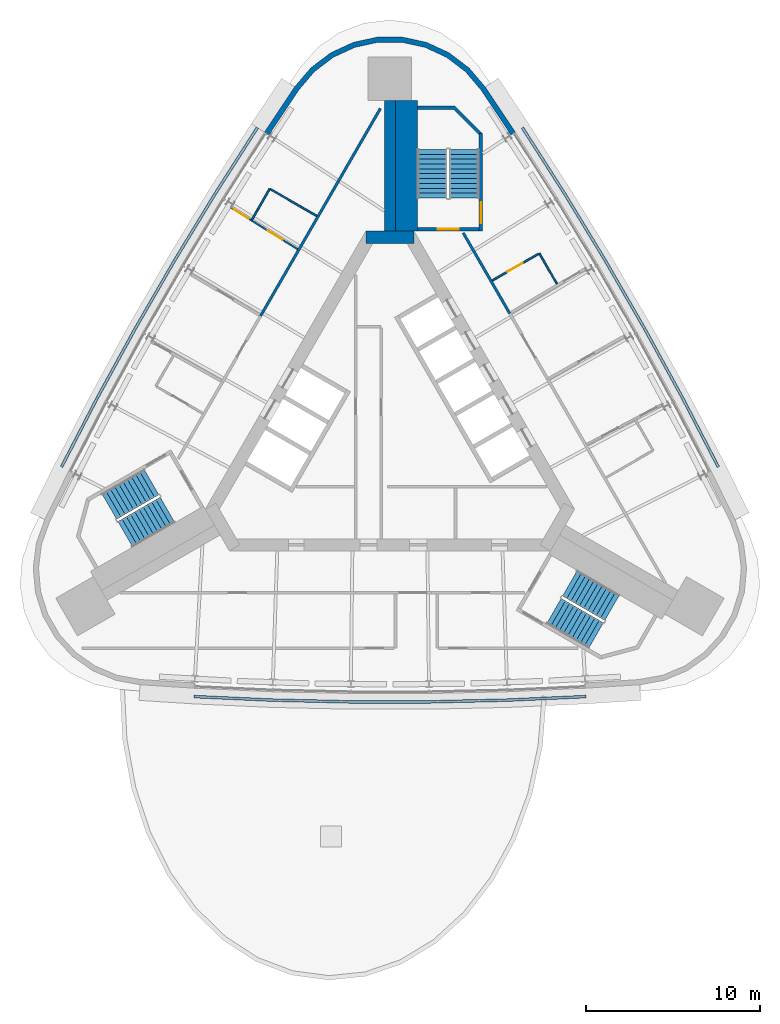
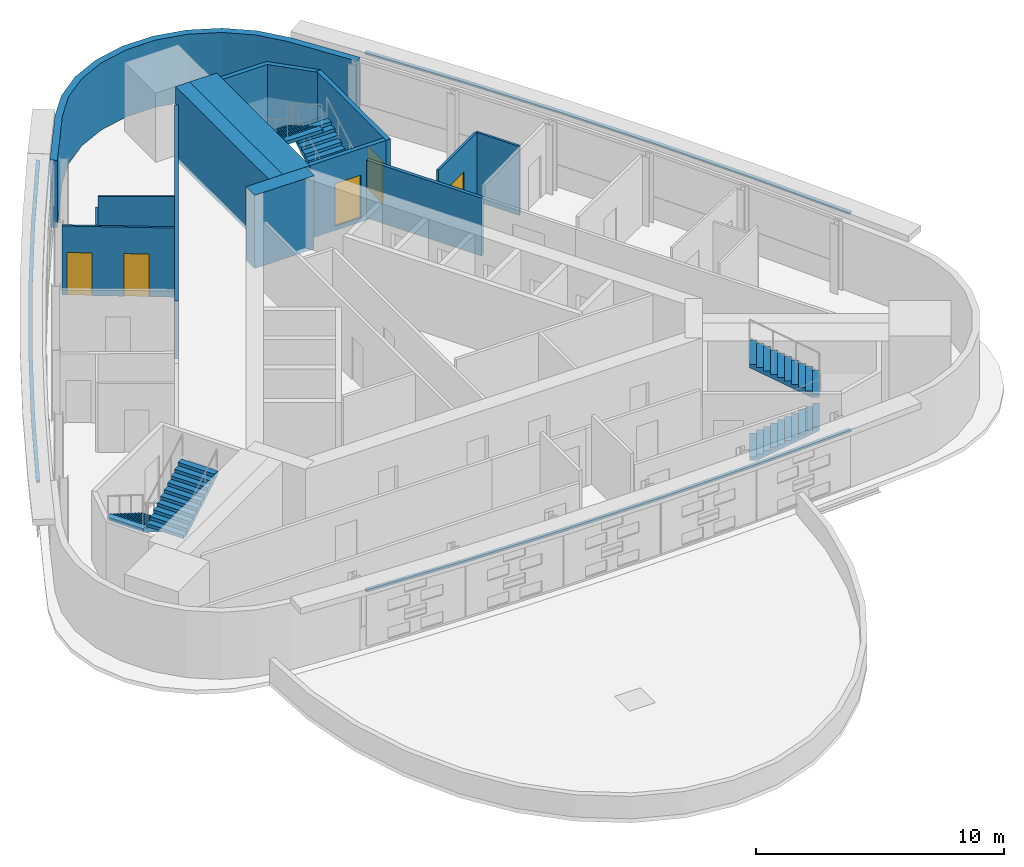
# One storey, part 8 of 9: 14 walls, 6 stair flights, 5 doors, 3 discrete accessories, 5 openings, 3 elements without a shape of their own.
"""IFC4 building model written with IfcOpenShell, lengths in metres."""

from ifc_helpers import new_model, si_unit, direction, frame, frame_2d, origin, place, context, subcontext, project, spatial, polyline, rectangle, outline, extrude, material, layer, layer_set, type_object, element, fill, aggregate, save


model = new_model("IFC4")

# Units and contexts
model_context = context("Model", 3, precision=1e-05, world=origin(), true_north=direction((0.0, 1.0)))
body_context = subcontext(model_context, "Body", "Model", "MODEL_VIEW")
ifc_project = project(units=[si_unit("LENGTHUNIT", "METRE"), si_unit("AREAUNIT", "SQUARE_METRE"), si_unit("VOLUMEUNIT", "CUBIC_METRE"), si_unit("PLANEANGLEUNIT", "RADIAN"), si_unit("MASSUNIT", "GRAM", prefix="KILO")], contexts=[model_context])

# Site, building, storey
site_placement = place(None, origin())
site = spatial("IfcSite", under=ifc_project, at=site_placement, CompositionType="ELEMENT")
building_placement = place(site_placement, origin())
building = spatial("IfcBuilding", under=site, at=building_placement, Name="Noor Cloister Tower", CompositionType="ELEMENT")
storey_placement = place(building_placement, frame((0.0, 0.0, 229.199951171875)))
storey = spatial("IfcBuildingStorey", under=building, at=storey_placement, Name="L59", CompositionType="ELEMENT", Elevation=229.199951171875)

# Walls
ifc_material_1 = material(Name="Concrete C60/75", Category="concrete")
ifc_layer_1 = layer(ifc_material_1, 0.64990234375)
ifc_layer_set_1 = layer_set([ifc_layer_1], Name="Buttress wall 650 C60/75")
wall_type_1 = type_object("IfcWallType", Name="Buttress wall 650 C60/75", PredefinedType="SHEAR", material=ifc_layer_set_1)
wall_1_placement = place(storey_placement, frame((0.0, 11.456298828125, -0.199951171875), z_axis=(0.0, 0.0, 1.0), x_axis=(0.0, 1.0, 0.0)))
element("IfcWall", 1, at=wall_1_placement, inside=storey, type_object=wall_type_1, Name="Buttress wall N L59", PredefinedType="SHEAR", context=body_context, shape_type="SweptSolid", body=[
    extrude(rectangle(XDim=7.506591796875, YDim=0.64990234375, at=frame_2d((3.75341796875, 0.0))), origin(), (0.0, 0.0, 1.0), 3.60009765625),
])
ifc_material_2 = material(Name="Concrete C60/75", Category="concrete")
ifc_layer_2 = layer(ifc_material_2, 0.699951171875)
ifc_layer_set_2 = layer_set([ifc_layer_2], Name="Core wall 700 C60/75")
wall_type_2 = type_object("IfcWallType", Name="Core wall 700 C60/75", PredefinedType="SHEAR", material=ifc_layer_set_2)
wall_2_placement = place(storey_placement, frame((1.3857421875, 11.1064453125, -0.199951171875), z_axis=(0.0, 0.0, 1.0), x_axis=(-1.0, 0.0, 0.0)))
element("IfcWall", 2, at=wall_2_placement, inside=storey, type_object=wall_type_2, Name="Core wall L59 4", PredefinedType="SHEAR", context=body_context, shape_type="SweptSolid", body=[
    extrude(rectangle(XDim=2.771484375, YDim=0.699951171875, at=frame_2d((1.3857421875, 0.0))), origin(), (0.0, 0.0, 1.0), 3.60009765625),
])
ifc_material_3 = material(Name="Fire-rated gypsum board partition on steel studs, 150 mm", Category="steel")
ifc_layer_3 = layer(ifc_material_3, 0.14990234375)
ifc_layer_set_3 = layer_set([ifc_layer_3], Name="Fire lobby wall 150")
wall_type_3 = type_object("IfcWallType", Name="Fire lobby wall 150", PredefinedType="PARTITIONING", material=ifc_layer_set_3)
wall_3_placement = place(storey_placement, frame((-0.544677734375, 18.512939453125, 0.0), z_axis=(0.0, 0.0, 1.0), x_axis=(-0.499998165157, -0.866026463129, 0.0)))
element("IfcWall", 3, at=wall_3_placement, inside=storey, type_object=wall_type_3, Name="Wall L59-W18", PredefinedType="PARTITIONING", context=body_context, shape_type="SweptSolid", body=[
    extrude(rectangle(XDim=13.771484375, YDim=0.14990234375, at=frame_2d((6.8857421875, 0.0))), origin(), (0.0, 0.0, 1.0), 2.85205078125),
])
ifc_material_4 = material(Name="Gypsum board partition on steel studs, 150 mm", Category="steel")
ifc_layer_4 = layer(ifc_material_4, 0.14990234375)
ifc_layer_set_4 = layer_set([ifc_layer_4], Name="Flat wall 150")
wall_type_4 = type_object("IfcWallType", Name="Flat wall 150", PredefinedType="PARTITIONING", material=ifc_layer_set_4)
wall_4_placement = place(storey_placement, frame((6.88623046875, 6.72900390625, 0.0), z_axis=(0.0, 0.0, 1.0), x_axis=(-0.4999966759, 0.866027322946, 0.0)))
element("IfcWall", 4, at=wall_4_placement, inside=storey, type_object=wall_type_4, Name="Wall L59-W02", PredefinedType="PARTITIONING", context=body_context, shape_type="SweptSolid", body=[
    extrude(rectangle(XDim=5.34326171875, YDim=0.14990234375, at=frame_2d((2.671630859375, 0.0))), origin(), (0.0, 0.0, 1.0), 2.85205078125),
])
ifc_material_5 = material(Name="Limestone", Category="masonry")
ifc_layer_5 = layer(ifc_material_5, 0.300048828125)
ifc_layer_set_5 = layer_set([ifc_layer_5], Name="Limestone cladding 300")
wall_type_5 = type_object("IfcWallType", Name="Limestone cladding 300", PredefinedType="NOTDEFINED", material=ifc_layer_set_5)
wall_5_placement = place(storey_placement, origin())
element("IfcWall", 5, at=wall_5_placement, inside=storey, type_object=wall_type_5, Name="Limestone pier cladding L59 3.1", PredefinedType="NOTDEFINED", context=body_context, shape_type="SweptSolid", body=[
    extrude(outline(polyline([(7.212646484375, 17.147705078125), (5.47802734375, 19.7490234375), (4.55126953125, 20.839599609375), (3.412109375, 21.70556640625), (2.113037109375, 22.306396484375), (0.715576171875, 22.614013671875), (-0.715576171875, 22.614013671875), (-2.113037109375, 22.306396484375), (-3.412109375, 21.70556640625), (-4.55126953125, 20.839599609375), (-5.47802734375, 19.7490234375), (-7.212646484375, 17.147705078125), (-6.962890625, 16.981201171875), (-5.238037109375, 19.568115234375), (-4.34375, 20.62060546875), (-3.25634765625, 21.447021484375), (-2.016845703125, 22.0205078125), (-0.682861328125, 22.31396484375), (0.682861328125, 22.31396484375), (2.016845703125, 22.0205078125), (3.25634765625, 21.447021484375), (4.34375, 20.62060546875), (5.238037109375, 19.568115234375), (6.962890625, 16.981201171875), (7.212646484375, 17.147705078125)])), origin(), (0.0, 0.0, 1.0), 3.300048828125),
])
ifc_material_6 = material(Name="Gypsum board partition on steel studs, 100 mm", Category="steel")
ifc_layer_6 = layer(ifc_material_6, 0.10009765625)
ifc_layer_set_6 = layer_set([ifc_layer_6], Name="Partition 100")
wall_type_6 = type_object("IfcWallType", Name="Partition 100", PredefinedType="PARTITIONING", material=ifc_layer_set_6)
wall_6_placement = place(storey_placement, frame((9.60205078125, 8.42529296875, 0.0), z_axis=(0.0, 0.0, 1.0), x_axis=(-0.500080744026, 0.86597878118, 0.0)))
element("IfcWall", 6, at=wall_6_placement, inside=storey, type_object=wall_type_6, Name="Wall L59-W09", PredefinedType="PARTITIONING", context=body_context, shape_type="SweptSolid", body=[
    extrude(rectangle(XDim=2.025146484375, YDim=0.10009765625, at=frame_2d((1.0126953125, 0.0))), origin(), (0.0, 0.0, 1.0), 3.400146484375),
])

# Wall, opening, door
wall_7_placement = place(storey_placement, frame((8.546142578125, 10.154052734375, 0.0), z_axis=(0.0, 0.0, 1.0), x_axis=(-0.866016353143, -0.500015675843, 0.0)))
wall_7 = element("IfcWall", 7, at=wall_7_placement, inside=storey, type_object=wall_type_6, Name="Wall L59-W10", PredefinedType="PARTITIONING", context=body_context, shape_type="SweptSolid", body=[
    extrude(rectangle(XDim=3.0751953125, YDim=0.10009765625, at=frame_2d((1.53759765625, 0.0))), origin(), (0.0, 0.0, 1.0), 3.400146484375),
])
opening_1_placement = place(wall_7_placement, frame((1.050048828125, 0.0, 0.0)))
opening_1 = element("IfcOpeningElement", 8, at=opening_1_placement, cuts=wall_7, Name="Opening L59-005", PredefinedType="OPENING", context=body_context, shape_type="SweptSolid", body=[
    extrude(rectangle(XDim=1.0, YDim=2.10009765625, at=frame_2d((0.5, 1.050048828125))), frame((0.0, 0.06005859375, 0.0), z_axis=(0.0, -1.0, 0.0), x_axis=(1.0, 0.0, 0.0)), (0.0, 0.0, 1.0), 0.1201171875),
])
ifc_material_7 = material(Name="Timber door leaf with steel frame", Category="steel")
door_type_1 = type_object("IfcDoorType", Name="Interior door 1000", OperationType="NOTDEFINED", PredefinedType="DOOR", material=ifc_material_7)
door_1_placement = place(opening_1_placement, origin())
door_1 = element("IfcDoor", 9, at=door_1_placement, inside=storey, type_object=door_type_1, Name="Door L59-005", OperationType="SINGLE_SWING_LEFT", OverallHeight=2.10009765625, OverallWidth=1.0, PredefinedType="DOOR", context=body_context, shape_type="SweptSolid", body=[
    extrude(rectangle(XDim=1.0, YDim=2.10009765625, at=frame_2d((0.5, 1.050048828125))), frame((0.0, 0.02490234375, 0.0), z_axis=(0.0, -1.0, 0.0), x_axis=(1.0, 0.0, 0.0)), (0.0, 0.0, 1.0), 0.050048828125),
])
fill(opening_1, door_1)

# Wall, openings, doors
wall_8_placement = place(storey_placement, frame((-9.146484375, 12.815185546875, 0.0), z_axis=(0.0, 0.0, 1.0), x_axis=(0.848537029676, -0.52913600262, 0.0)))
wall_8 = element("IfcWall", 10, at=wall_8_placement, inside=storey, type_object=wall_type_6, Name="Wall L59-W23", PredefinedType="PARTITIONING", context=body_context, shape_type="SweptSolid", body=[
    extrude(rectangle(XDim=4.528076171875, YDim=0.10009765625, at=frame_2d((2.26416015625, 0.0))), origin(), (0.0, 0.0, 1.0), 3.400146484375),
])
opening_2_placement = place(wall_8_placement, frame((0.20068359375, 0.0, 0.0)))
opening_2 = element("IfcOpeningElement", 11, at=opening_2_placement, cuts=wall_8, Name="Opening L59-013", PredefinedType="OPENING", context=body_context, shape_type="SweptSolid", body=[
    extrude(rectangle(XDim=1.0, YDim=2.10009765625, at=frame_2d((0.5, 1.050048828125))), frame((0.0, 0.06005859375, 0.0), z_axis=(0.0, -1.0, 0.0), x_axis=(1.0, 0.0, 0.0)), (0.0, 0.0, 1.0), 0.1201171875),
])
opening_3_placement = place(wall_8_placement, frame((2.502197265625, 0.0, 0.0)))
opening_3 = element("IfcOpeningElement", 12, at=opening_3_placement, cuts=wall_8, Name="Opening L59-014", PredefinedType="OPENING", context=body_context, shape_type="SweptSolid", body=[
    extrude(rectangle(XDim=1.0, YDim=2.10009765625, at=frame_2d((0.5, 1.050048828125))), frame((0.0, 0.06005859375, 0.0), z_axis=(0.0, -1.0, 0.0), x_axis=(1.0, 0.0, 0.0)), (0.0, 0.0, 1.0), 0.1201171875),
])
door_2_placement = place(opening_2_placement, origin())
door_2 = element("IfcDoor", 13, at=door_2_placement, inside=storey, type_object=door_type_1, Name="Door L59-013", OperationType="SINGLE_SWING_LEFT", OverallHeight=2.10009765625, OverallWidth=1.0, PredefinedType="DOOR", context=body_context, shape_type="SweptSolid", body=[
    extrude(rectangle(XDim=1.0, YDim=2.10009765625, at=frame_2d((0.5, 1.050048828125))), frame((0.0, 0.02490234375, 0.0), z_axis=(0.0, -1.0, 0.0), x_axis=(1.0, 0.0, 0.0)), (0.0, 0.0, 1.0), 0.050048828125),
])
fill(opening_2, door_2)
door_3_placement = place(opening_3_placement, origin())
door_3 = element("IfcDoor", 14, at=door_3_placement, inside=storey, type_object=door_type_1, Name="Door L59-014", OperationType="SINGLE_SWING_RIGHT", OverallHeight=2.10009765625, OverallWidth=1.0, PredefinedType="DOOR", context=body_context, shape_type="SweptSolid", body=[
    extrude(rectangle(XDim=1.0, YDim=2.10009765625, at=frame_2d((0.5, 1.050048828125))), frame((0.0, 0.02490234375, 0.0), z_axis=(0.0, -1.0, 0.0), x_axis=(1.0, 0.0, 0.0)), (0.0, 0.0, 1.0), 0.050048828125),
])
fill(opening_3, door_3)

# Walls
wall_9_placement = place(storey_placement, frame((-7.932373046875, 12.116943359375, 0.0), z_axis=(0.0, 0.0, 1.0), x_axis=(0.499956128963, 0.866050731258, 0.0)))
element("IfcWall", 15, at=wall_9_placement, inside=storey, type_object=wall_type_6, Name="Wall L59-W24", PredefinedType="PARTITIONING", context=body_context, shape_type="SweptSolid", body=[
    extrude(rectangle(XDim=2.050048828125, YDim=0.10009765625, at=frame_2d((1.02490234375, 0.0))), origin(), (0.0, 0.0, 1.0), 2.85205078125),
])
wall_10_placement = place(storey_placement, frame((-6.8642578125, 13.867431640625, 0.0), z_axis=(0.0, 0.0, 1.0), x_axis=(0.866016353143, -0.500015675843, 0.0)))
element("IfcWall", 16, at=wall_10_placement, inside=storey, type_object=wall_type_6, Name="Wall L59-W25", PredefinedType="PARTITIONING", context=body_context, shape_type="SweptSolid", body=[
    extrude(rectangle(XDim=3.0751953125, YDim=0.10009765625, at=frame_2d((1.53759765625, 0.0))), origin(), (0.0, 0.0, 1.0), 3.400146484375),
])
ifc_material_8 = material(Name="Concrete C60/75", Category="concrete")
ifc_layer_7 = layer(ifc_material_8, 1.260986328125)
ifc_layer_set_7 = layer_set([ifc_layer_7], Name="Stair enclosure wall 1261 C60/75")
wall_type_7 = type_object("IfcWallType", Name="Stair enclosure wall 1261 C60/75", PredefinedType="SHEAR", material=ifc_layer_set_7)
wall_11_placement = place(storey_placement, frame((0.955322265625, 11.456298828125, -0.199951171875), z_axis=(0.0, 0.0, 1.0), x_axis=(0.0, 1.0, 0.0)))
element("IfcWall", 17, at=wall_11_placement, inside=storey, type_object=wall_type_7, Name="Stair enclosure wall ST1 L59 riser side", PredefinedType="SHEAR", context=body_context, shape_type="SweptSolid", body=[
    extrude(rectangle(XDim=7.506591796875, YDim=1.2607421875, at=frame_2d((3.75341796875, 0.0))), origin(), (0.0, 0.0, 1.0), 3.60009765625),
])

# Wall, opening, door
ifc_material_9 = material(Name="Concrete C60/75", Category="concrete")
ifc_layer_8 = layer(ifc_material_9, 0.199951171875)
ifc_layer_set_8 = layer_set([ifc_layer_8], Name="Stair enclosure wall 200 C60/75")
wall_type_8 = type_object("IfcWallType", Name="Stair enclosure wall 200 C60/75", PredefinedType="SHEAR", material=ifc_layer_set_8)
wall_12_placement = place(storey_placement, frame((5.135498046875, 11.556396484375, -0.199951171875), z_axis=(0.0, 0.0, 1.0), x_axis=(-1.0, 0.0, 0.0)))
wall_12 = element("IfcWall", 18, at=wall_12_placement, inside=storey, type_object=wall_type_8, Name="Stair enclosure wall ST1 L59 near end", PredefinedType="SHEAR", context=body_context, shape_type="SweptSolid", body=[
    extrude(rectangle(XDim=3.5498046875, YDim=0.199951171875, at=frame_2d((1.77490234375, 0.0))), origin(), (0.0, 0.0, 1.0), 3.60009765625),
])
opening_4_placement = place(wall_12_placement, frame((1.175048828125, 0.0, 0.199951171875)))
opening_4 = element("IfcOpeningElement", 19, at=opening_4_placement, cuts=wall_12, Name="Opening L59-ST1L", PredefinedType="OPENING", context=body_context, shape_type="SweptSolid", body=[
    extrude(rectangle(XDim=1.199951171875, YDim=2.10009765625, at=frame_2d((0.60009765625, 1.050048828125))), frame((0.0, 0.10986328125, 0.0), z_axis=(0.0, -1.0, 0.0), x_axis=(1.0, 0.0, 0.0)), (0.0, 0.0, 1.0), 0.219970703125),
])
ifc_material_10 = material(Name="Steel", Category="steel")
door_type_2 = type_object("IfcDoorType", Name="Stair door 1200 x 2100 FD120", OperationType="SINGLE_SWING_LEFT", PredefinedType="DOOR", material=ifc_material_10)
door_4_placement = place(opening_4_placement, origin())
door_4 = element("IfcDoor", 20, at=door_4_placement, inside=storey, type_object=door_type_2, Name="Stair door ST1 L59", OperationType="SINGLE_SWING_RIGHT", OverallHeight=2.10009765625, OverallWidth=1.199951171875, PredefinedType="DOOR", context=body_context, shape_type="SweptSolid", body=[
    extrude(rectangle(XDim=1.199951171875, YDim=2.10009765625, at=frame_2d((0.60009765625, 1.050048828125))), frame((0.0, 0.02490234375, 0.0), z_axis=(0.0, -1.0, 0.0), x_axis=(1.0, 0.0, 0.0)), (0.0, 0.0, 1.0), 0.050048828125),
])
fill(opening_4, door_4)

wall_13_placement = place(storey_placement, frame((5.235595703125, 11.456298828125, -0.199951171875), z_axis=(0.0, 0.0, 1.0), x_axis=(0.0, 1.0, 0.0)))
wall_13 = element("IfcWall", 21, at=wall_13_placement, inside=storey, type_object=wall_type_8, Name="Stair enclosure wall ST1 L59 outer side", PredefinedType="SHEAR", context=body_context, shape_type="SweptSolid", body=[
    extrude(rectangle(XDim=5.60009765625, YDim=0.199951171875, at=frame_2d((2.800048828125, 0.0))), origin(), (0.0, 0.0, 1.0), 3.60009765625),
])
opening_5_placement = place(wall_13_placement, frame((0.449951171875, 0.0, 0.199951171875)))
opening_5 = element("IfcOpeningElement", 22, at=opening_5_placement, cuts=wall_13, Name="Opening L59-ST1C", PredefinedType="OPENING", context=body_context, shape_type="SweptSolid", body=[
    extrude(rectangle(XDim=1.199951171875, YDim=2.10009765625, at=frame_2d((0.60009765625, 1.050048828125))), frame((0.0, 0.10986328125, 0.0), z_axis=(0.0, -1.0, 0.0), x_axis=(1.0, 0.0, 0.0)), (0.0, 0.0, 1.0), 0.219970703125),
])
door_5_placement = place(opening_5_placement, origin())
door_5 = element("IfcDoor", 23, at=door_5_placement, inside=storey, type_object=door_type_2, Name="Stair door ST1 L59", OperationType="SINGLE_SWING_LEFT", OverallHeight=2.10009765625, OverallWidth=1.199951171875, PredefinedType="DOOR", context=body_context, shape_type="SweptSolid", body=[
    extrude(rectangle(XDim=1.199951171875, YDim=2.10009765625, at=frame_2d((0.60009765625, 1.050048828125))), frame((0.0, 0.02490234375, 0.0), z_axis=(0.0, -1.0, 0.0), x_axis=(1.0, 0.0, 0.0)), (0.0, 0.0, 1.0), 0.050048828125),
])
fill(opening_5, door_5)

# Wall
ifc_material_11 = material(Name="Concrete C60/75", Category="concrete")
wall_type_9 = type_object("IfcWallType", Name="Stair far end wall C60/75", PredefinedType="SHEAR", material=ifc_material_11)
wall_14_placement = place(storey_placement, frame((0.0, 0.0, -0.199951171875)))
element("IfcWall", 24, at=wall_14_placement, inside=storey, type_object=wall_type_9, Name="Stair enclosure wall ST1 L59 far end", PredefinedType="SHEAR", context=body_context, shape_type="SweptSolid", body=[
    extrude(outline(polyline([(5.335693359375, 17.056396484375), (3.735595703125, 18.656494140625), (1.585693359375, 18.656494140625), (1.585693359375, 18.456298828125), (3.65283203125, 18.456298828125), (5.135498046875, 16.9736328125), (5.135498046875, 17.056396484375), (5.135498046875, 17.056396484375), (5.135498046875, 17.056396484375), (5.135498046875, 17.056396484375), (5.135498046875, 17.056396484375), (5.135498046875, 17.056396484375), (5.135498046875, 17.056396484375), (5.135498046875, 17.056396484375), (5.135498046875, 17.056396484375), (5.135498046875, 17.056396484375), (5.135498046875, 17.056396484375), (5.135498046875, 17.056396484375), (5.135498046875, 17.056396484375), (5.135498046875, 17.056396484375), (5.135498046875, 17.056396484375), (5.135498046875, 17.056396484375), (5.135498046875, 17.056396484375), (5.335693359375, 17.056396484375)])), origin(), (0.0, 0.0, 1.0), 3.60009765625),
])

# Stair, stair flights
ifc_material_12 = material(Name="Concrete C40/50", Category="concrete")
stair_type = type_object("IfcStairType", Name="Exit stair 22 risers", PredefinedType="HALF_TURN_STAIR", material=ifc_material_12)
stair_1_placement = place(storey_placement, origin())
stair_1 = element("IfcStair", 25, at=stair_1_placement, inside=storey, type_object=stair_type, Name="Exit stair ST1 L59", PredefinedType="HALF_TURN_STAIR")
ifc_material_13 = material(Name="Concrete C40/50", Category="concrete")
stair_flight_type = type_object("IfcStairFlightType", Name="Exit stair flight", PredefinedType="STRAIGHT", material=ifc_material_13)
stair_flight_1_placement = place(storey_placement, frame((4.28564453125, 13.3564453125, 0.0), z_axis=(0.0, 0.0, 1.0), x_axis=(0.0, 1.0, 0.0)))
stair_flight_1 = element("IfcStairFlight", 26, at=stair_flight_1_placement, type_object=stair_flight_type, Name="ST1 flight 1", NumberOfRisers=11, NumberOfTreads=10, PredefinedType="STRAIGHT", RiserHeight=0.163636364, TreadLength=0.28, context=body_context, shape_type="SweptSolid", body=[
    extrude(outline(polyline([(0.0, 0.0), (0.0, 0.16357421875), (0.280029296875, 0.16357421875), (0.280029296875, 0.327392578125), (0.56005859375, 0.327392578125), (0.56005859375, 0.490966796875), (0.840087890625, 0.490966796875), (0.840087890625, 0.654541015625), (1.1201171875, 0.654541015625), (1.1201171875, 0.818115234375), (1.39990234375, 0.818115234375), (1.39990234375, 0.98193359375), (1.679931640625, 0.98193359375), (1.679931640625, 1.1455078125), (1.9599609375, 1.1455078125), (1.9599609375, 1.30908203125), (2.239990234375, 1.30908203125), (2.239990234375, 1.47265625), (2.52001953125, 1.47265625), (2.52001953125, 1.636474609375), (2.800048828125, 1.636474609375), (2.800048828125, 1.800048828125), (2.800048828125, 1.462646484375), (0.297119140625, 0.0), (0.0, 0.0)])), frame((0.0, 0.85009765625, 0.0), z_axis=(0.0, -1.0, 0.0), x_axis=(1.0, 0.0, 0.0)), (0.0, 0.0, 1.0), 1.699951171875),
])
stair_flight_2_placement = place(storey_placement, frame((2.435546875, 16.156494140625, 1.800048828125), z_axis=(0.0, 0.0, 1.0), x_axis=(0.0, -1.0, 0.0)))
stair_flight_2 = element("IfcStairFlight", 27, at=stair_flight_2_placement, type_object=stair_flight_type, Name="ST1 flight 2", NumberOfRisers=11, NumberOfTreads=10, PredefinedType="STRAIGHT", RiserHeight=0.163636364, TreadLength=0.28, context=body_context, shape_type="SweptSolid", body=[
    extrude(outline(polyline([(0.0, 0.0), (0.0, 0.16357421875), (0.280029296875, 0.16357421875), (0.280029296875, 0.327392578125), (0.56005859375, 0.327392578125), (0.56005859375, 0.490966796875), (0.840087890625, 0.490966796875), (0.840087890625, 0.654541015625), (1.1201171875, 0.654541015625), (1.1201171875, 0.818115234375), (1.39990234375, 0.818115234375), (1.39990234375, 0.98193359375), (1.679931640625, 0.98193359375), (1.679931640625, 1.1455078125), (1.9599609375, 1.1455078125), (1.9599609375, 1.30908203125), (2.239990234375, 1.30908203125), (2.239990234375, 1.47265625), (2.52001953125, 1.47265625), (2.52001953125, 1.636474609375), (2.800048828125, 1.636474609375), (2.800048828125, 1.800048828125), (2.800048828125, 1.462646484375), (0.297119140625, 0.0), (0.0, 0.0)])), frame((0.0, 0.85009765625, 0.0), z_axis=(0.0, -1.0, 0.0), x_axis=(1.0, 0.0, 0.0)), (0.0, 0.0, 1.0), 1.699951171875),
])
aggregate(stair_1, [stair_flight_1, stair_flight_2])

stair_2_placement = place(storey_placement, origin())
stair_2 = element("IfcStair", 28, at=stair_2_placement, inside=storey, type_object=stair_type, Name="Exit stair ST2 L59", PredefinedType="HALF_TURN_STAIR")
stair_flight_3_placement = place(storey_placement, frame((-13.709716796875, -2.966796875, 0.0), z_axis=(0.0, 0.0, 1.0), x_axis=(-0.866025403784, -0.5, 0.0)))
stair_flight_3 = element("IfcStairFlight", 29, at=stair_flight_3_placement, type_object=stair_flight_type, Name="ST2 flight 1", NumberOfRisers=11, NumberOfTreads=10, PredefinedType="STRAIGHT", RiserHeight=0.163636364, TreadLength=0.28, context=body_context, shape_type="SweptSolid", body=[
    extrude(outline(polyline([(0.0, 0.0), (0.0, 0.16357421875), (0.280029296875, 0.16357421875), (0.280029296875, 0.327392578125), (0.56005859375, 0.327392578125), (0.56005859375, 0.490966796875), (0.840087890625, 0.490966796875), (0.840087890625, 0.654541015625), (1.1201171875, 0.654541015625), (1.1201171875, 0.818115234375), (1.39990234375, 0.818115234375), (1.39990234375, 0.98193359375), (1.679931640625, 0.98193359375), (1.679931640625, 1.1455078125), (1.9599609375, 1.1455078125), (1.9599609375, 1.30908203125), (2.239990234375, 1.30908203125), (2.239990234375, 1.47265625), (2.52001953125, 1.47265625), (2.52001953125, 1.636474609375), (2.800048828125, 1.636474609375), (2.800048828125, 1.800048828125), (2.800048828125, 1.462646484375), (0.297119140625, 0.0), (0.0, 0.0)])), frame((0.0, 0.85009765625, 0.0), z_axis=(0.0, -1.0, 0.0), x_axis=(1.0, 0.0, 0.0)), (0.0, 0.0, 1.0), 1.699951171875),
])
stair_flight_4_placement = place(storey_placement, frame((-15.209716796875, -5.968994140625, 1.800048828125), z_axis=(0.0, 0.0, 1.0), x_axis=(0.866025403784, 0.5, 0.0)))
stair_flight_4 = element("IfcStairFlight", 30, at=stair_flight_4_placement, type_object=stair_flight_type, Name="ST2 flight 2", NumberOfRisers=11, NumberOfTreads=10, PredefinedType="STRAIGHT", RiserHeight=0.163636364, TreadLength=0.28, context=body_context, shape_type="SweptSolid", body=[
    extrude(outline(polyline([(0.0, 0.0), (0.0, 0.16357421875), (0.280029296875, 0.16357421875), (0.280029296875, 0.327392578125), (0.56005859375, 0.327392578125), (0.56005859375, 0.490966796875), (0.840087890625, 0.490966796875), (0.840087890625, 0.654541015625), (1.1201171875, 0.654541015625), (1.1201171875, 0.818115234375), (1.39990234375, 0.818115234375), (1.39990234375, 0.98193359375), (1.679931640625, 0.98193359375), (1.679931640625, 1.1455078125), (1.9599609375, 1.1455078125), (1.9599609375, 1.30908203125), (2.239990234375, 1.30908203125), (2.239990234375, 1.47265625), (2.52001953125, 1.47265625), (2.52001953125, 1.636474609375), (2.800048828125, 1.636474609375), (2.800048828125, 1.800048828125), (2.800048828125, 1.462646484375), (0.297119140625, 0.0), (0.0, 0.0)])), frame((0.0, 0.85009765625, 0.0), z_axis=(0.0, -1.0, 0.0), x_axis=(1.0, 0.0, 0.0)), (0.0, 0.0, 1.0), 1.699951171875),
])
aggregate(stair_2, [stair_flight_3, stair_flight_4])

stair_3_placement = place(storey_placement, origin())
stair_3 = element("IfcStair", 31, at=stair_3_placement, inside=storey, type_object=stair_type, Name="Exit stair ST3 L59", PredefinedType="HALF_TURN_STAIR")
stair_flight_5_placement = place(storey_placement, frame((9.424072265625, -10.3896484375, 0.0), z_axis=(0.0, 0.0, 1.0), x_axis=(0.866025403784, -0.5, 0.0)))
stair_flight_5 = element("IfcStairFlight", 32, at=stair_flight_5_placement, type_object=stair_flight_type, Name="ST3 flight 1", NumberOfRisers=11, NumberOfTreads=10, PredefinedType="STRAIGHT", RiserHeight=0.163636364, TreadLength=0.28, context=body_context, shape_type="SweptSolid", body=[
    extrude(outline(polyline([(0.0, 0.0), (0.0, 0.16357421875), (0.280029296875, 0.16357421875), (0.280029296875, 0.327392578125), (0.56005859375, 0.327392578125), (0.56005859375, 0.490966796875), (0.840087890625, 0.490966796875), (0.840087890625, 0.654541015625), (1.1201171875, 0.654541015625), (1.1201171875, 0.818115234375), (1.39990234375, 0.818115234375), (1.39990234375, 0.98193359375), (1.679931640625, 0.98193359375), (1.679931640625, 1.1455078125), (1.9599609375, 1.1455078125), (1.9599609375, 1.30908203125), (2.239990234375, 1.30908203125), (2.239990234375, 1.47265625), (2.52001953125, 1.47265625), (2.52001953125, 1.636474609375), (2.800048828125, 1.636474609375), (2.800048828125, 1.800048828125), (2.800048828125, 1.462646484375), (0.297119140625, 0.0), (0.0, 0.0)])), frame((0.0, 0.85009765625, 0.0), z_axis=(0.0, -1.0, 0.0), x_axis=(1.0, 0.0, 0.0)), (0.0, 0.0, 1.0), 1.699951171875),
])
stair_flight_6_placement = place(storey_placement, frame((12.77392578125, -10.1875, 1.800048828125), z_axis=(0.0, 0.0, 1.0), x_axis=(-0.866025403784, 0.5, 0.0)))
stair_flight_6 = element("IfcStairFlight", 33, at=stair_flight_6_placement, type_object=stair_flight_type, Name="ST3 flight 2", NumberOfRisers=11, NumberOfTreads=10, PredefinedType="STRAIGHT", RiserHeight=0.163636364, TreadLength=0.28, context=body_context, shape_type="SweptSolid", body=[
    extrude(outline(polyline([(0.0, 0.0), (0.0, 0.16357421875), (0.280029296875, 0.16357421875), (0.280029296875, 0.327392578125), (0.56005859375, 0.327392578125), (0.56005859375, 0.490966796875), (0.840087890625, 0.490966796875), (0.840087890625, 0.654541015625), (1.1201171875, 0.654541015625), (1.1201171875, 0.818115234375), (1.39990234375, 0.818115234375), (1.39990234375, 0.98193359375), (1.679931640625, 0.98193359375), (1.679931640625, 1.1455078125), (1.9599609375, 1.1455078125), (1.9599609375, 1.30908203125), (2.239990234375, 1.30908203125), (2.239990234375, 1.47265625), (2.52001953125, 1.47265625), (2.52001953125, 1.636474609375), (2.800048828125, 1.636474609375), (2.800048828125, 1.800048828125), (2.800048828125, 1.462646484375), (0.297119140625, 0.0), (0.0, 0.0)])), frame((0.0, 0.85009765625, 0.0), z_axis=(0.0, -1.0, 0.0), x_axis=(1.0, 0.0, 0.0)), (0.0, 0.0, 1.0), 1.699951171875),
])
aggregate(stair_3, [stair_flight_5, stair_flight_6])

# Discrete accessories
ifc_material_14 = material(Name="Stainless steel grade 316", Category="steel")
discrete_accessory_type = type_object("IfcDiscreteAccessoryType", Name="Stainless hanger rail", PredefinedType="BRACKET", material=ifc_material_14)
discrete_accessory_1_placement = place(storey_placement, frame((0.0, 0.0, 3.199951171875)))
element("IfcDiscreteAccessory", 34, at=discrete_accessory_1_placement, inside=storey, type_object=discrete_accessory_type, Name="Hanger rail L59", PredefinedType="BRACKET", context=body_context, shape_type="SweptSolid", body=[
    extrude(outline(polyline([(-7.684326171875, 17.44921875), (-10.11181640625, 13.65283203125), (-12.4560546875, 9.796875), (-14.71240234375, 5.888916015625), (-16.879638671875, 1.9306640625), (-18.95361328125, -2.06982421875), (-18.811767578125, -2.1435546875), (-16.738525390625, 1.85546875), (-14.572998046875, 5.810546875), (-12.318359375, 9.71533203125), (-9.97607421875, 13.568115234375), (-7.549560546875, 17.363037109375), (-7.684326171875, 17.44921875)])), origin(), (0.0, 0.0, 1.0), 0.10009765625),
])
discrete_accessory_2_placement = place(storey_placement, frame((0.0, 0.0, 3.199951171875)))
element("IfcDiscreteAccessory", 35, at=discrete_accessory_2_placement, inside=storey, type_object=discrete_accessory_type, Name="Hanger rail L59", PredefinedType="BRACKET", context=body_context, shape_type="SweptSolid", body=[
    extrude(outline(polyline([(-11.269287109375, -15.37939453125), (-6.767822265625, -15.58349609375), (-2.25634765625, -15.685791015625), (2.25634765625, -15.685791015625), (6.767822265625, -15.58349609375), (11.269287109375, -15.37939453125), (11.26220703125, -15.2197265625), (6.76220703125, -15.423583984375), (2.25439453125, -15.52587890625), (-2.25439453125, -15.52587890625), (-6.76220703125, -15.423583984375), (-11.26220703125, -15.2197265625), (-11.269287109375, -15.37939453125)])), origin(), (0.0, 0.0, 1.0), 0.10009765625),
])
discrete_accessory_3_placement = place(storey_placement, frame((0.0, 0.0, 3.199951171875)))
element("IfcDiscreteAccessory", 36, at=discrete_accessory_3_placement, inside=storey, type_object=discrete_accessory_type, Name="Hanger rail L59", PredefinedType="BRACKET", context=body_context, shape_type="SweptSolid", body=[
    extrude(outline(polyline([(18.95361328125, -2.06982421875), (16.879638671875, 1.9306640625), (14.71240234375, 5.888916015625), (12.4560546875, 9.796875), (10.11181640625, 13.65283203125), (7.684326171875, 17.44921875), (7.549560546875, 17.363037109375), (9.97607421875, 13.568115234375), (12.318359375, 9.71533203125), (14.572998046875, 5.810546875), (16.738525390625, 1.85546875), (18.811767578125, -2.1435546875), (18.95361328125, -2.06982421875)])), origin(), (0.0, 0.0, 1.0), 0.10009765625),
])

save(model, "model.ifc")
